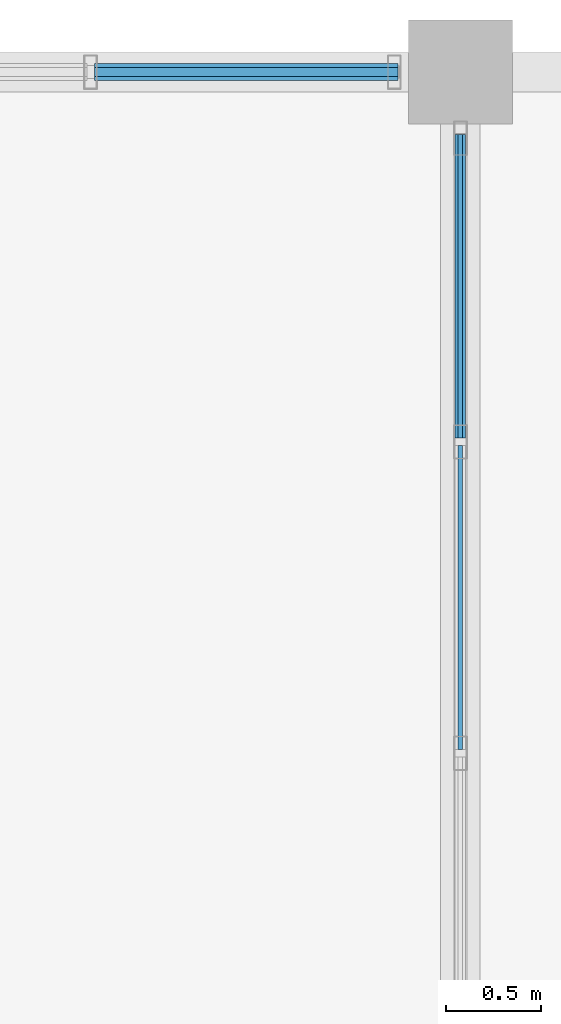
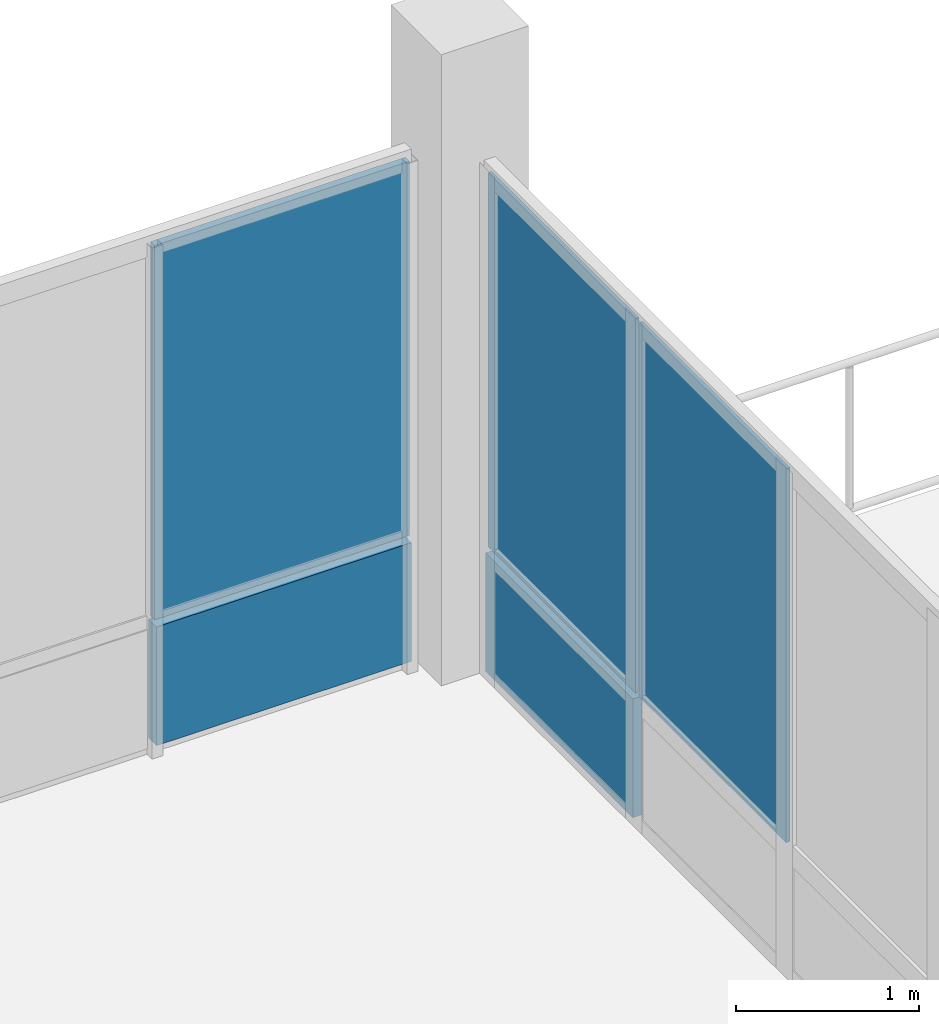
# One storey, part 34 of 47: 5 plates, 2 elements without a shape of their own.
"""IFC4 building model written with IfcOpenShell, lengths in metres."""

from ifc_helpers import new_model, si_unit, direction, frame, origin, origin_2d, place, context, subcontext, project, spatial, rectangle, extrude, material, layer, layer_set, type_object, element, aggregate, save


model = new_model("IFC4")

# Units and contexts
model_context = context("Model", 3, precision=1e-05, world=origin(), true_north=direction((0.0, 1.0)))
body_context = subcontext(model_context, "Body", "Model", "MODEL_VIEW")
ifc_project = project(units=[si_unit("LENGTHUNIT", "METRE"), si_unit("AREAUNIT", "SQUARE_METRE"), si_unit("VOLUMEUNIT", "CUBIC_METRE"), si_unit("PLANEANGLEUNIT", "RADIAN"), si_unit("MASSUNIT", "GRAM", prefix="KILO")], contexts=[model_context])

# Site, building, storey
site_placement = place(None, origin())
site = spatial("IfcSite", under=ifc_project, at=site_placement, CompositionType="ELEMENT")
building_placement = place(site_placement, origin())
building = spatial("IfcBuilding", under=site, at=building_placement, Name="Yarey Park Central Fire Station", CompositionType="ELEMENT")
storey_placement = place(building_placement, frame((0.0, 0.0, 18.0)))
storey = spatial("IfcBuildingStorey", under=building, at=storey_placement, Name="L05", CompositionType="ELEMENT", Elevation=18.0)

# Curtain wall, plate
ifc_material_1 = material(Name="Anodized Aluminium Frame", Category="aluminium")
curtain_wall_type = type_object("IfcCurtainWallType", Name="ENV_CW_HQ_L05", PredefinedType="NOTDEFINED", material=ifc_material_1)
curtain_wall_1_placement = place(storey_placement, origin())
curtain_wall_1 = element("IfcCurtainWall", 1, at=curtain_wall_1_placement, inside=storey, type_object=curtain_wall_type, Name="CW_L05_V4_E_108", PredefinedType="NOTDEFINED")
ifc_material_2 = material(Name="Insulated Aluminium Spandrel Panel", Category="aluminium")
ifc_layer_1 = layer(ifc_material_2, 0.055908203125)
ifc_layer_set_1 = layer_set([ifc_layer_1], Name="Insulated Aluminium Spandrel Panel")
plate_type_1 = type_object("IfcPlateType", Name="ENV_PNL_SPN_01", PredefinedType="CURTAIN_PANEL", material=ifc_layer_set_1)
plate_1_placement = place(storey_placement, frame((151.199951171875, 114.0673828125, 0.04248046875), z_axis=(0.0, 0.0, 1.0), x_axis=(0.0, 1.0, 0.0)))
plate_1 = element("IfcPlate", 2, at=plate_1_placement, type_object=plate_type_1, Name="CW_L05_V4_E_108_PNL07", PredefinedType="CURTAIN_PANEL", context=body_context, shape_type="SweptSolid", body=[
    extrude(rectangle(XDim=1.60498046875, YDim=0.055908203125, at=origin_2d()), origin(), (0.0, 0.0, 1.0), 0.7900390625),
])

curtain_wall_2_placement = place(storey_placement, origin())
curtain_wall_2 = element("IfcCurtainWall", 3, at=curtain_wall_2_placement, inside=storey, type_object=curtain_wall_type, Name="CW_L05_V4_N_5", PredefinedType="NOTDEFINED")
ifc_layer_2 = layer(ifc_material_2, 0.087890625)
ifc_layer_set_2 = layer_set([ifc_layer_2], Name="Insulated Aluminium Spandrel Panel")
plate_type_2 = type_object("IfcPlateType", Name="ENV_PNL_SPN_04", PredefinedType="CURTAIN_PANEL", material=ifc_layer_set_2)
plate_2_placement = place(storey_placement, frame((150.0673828125, 115.199951171875, 0.04248046875), z_axis=(0.0, 0.0, 1.0), x_axis=(-1.0, 0.0, 0.0)))
plate_2 = element("IfcPlate", 4, at=plate_2_placement, type_object=plate_type_2, Name="CW_L05_V4_N_5_PNL01", PredefinedType="CURTAIN_PANEL", context=body_context, shape_type="SweptSolid", body=[
    extrude(rectangle(XDim=1.60498046875, YDim=0.087890625, at=origin_2d()), origin(), (0.0, 0.0, 1.0), 0.7900390625),
])

# Plate
ifc_material_3 = material(Name="Laminated Hurricane Low-E Glass", Category="glass")
ifc_layer_3 = layer(ifc_material_3, 0.02392578125)
ifc_layer_set_3 = layer_set([ifc_layer_3], Name="Laminated Hurricane Low-E Glass")
plate_type_3 = type_object("IfcPlateType", Name="ENV_PNL_VIS_01", PredefinedType="CURTAIN_PANEL", material=ifc_layer_set_3)
plate_3_placement = place(storey_placement, frame((151.199951171875, 112.422607421875, 0.86767578125), z_axis=(0.0, 0.0, 1.0), x_axis=(0.0, 1.0, 0.0)))
plate_3 = element("IfcPlate", 5, at=plate_3_placement, type_object=plate_type_3, Name="CW_L05_V4_E_108_PNL06", PredefinedType="CURTAIN_PANEL", context=body_context, shape_type="SweptSolid", body=[
    extrude(rectangle(XDim=1.60498046875, YDim=0.02392578125, at=origin_2d()), origin(), (0.0, 0.0, 1.0), 2.489990234375),
])

plate_4_placement = place(storey_placement, frame((151.199951171875, 114.0673828125, 0.86767578125), z_axis=(0.0, 0.0, 1.0), x_axis=(0.0, 1.0, 0.0)))
plate_4 = element("IfcPlate", 6, at=plate_4_placement, type_object=plate_type_3, Name="CW_L05_V4_E_108_PNL08", PredefinedType="CURTAIN_PANEL", context=body_context, shape_type="SweptSolid", body=[
    extrude(rectangle(XDim=1.60498046875, YDim=0.02392578125, at=origin_2d()), origin(), (0.0, 0.0, 1.0), 2.489990234375),
])

aggregate(curtain_wall_1, [plate_3, plate_1, plate_4])

ifc_layer_4 = layer(ifc_material_3, 0.0458984375)
ifc_layer_set_4 = layer_set([ifc_layer_4], Name="Laminated Hurricane Low-E Glass")
plate_type_4 = type_object("IfcPlateType", Name="ENV_PNL_VIS_04", PredefinedType="CURTAIN_PANEL", material=ifc_layer_set_4)
plate_5_placement = place(storey_placement, frame((150.0673828125, 115.199951171875, 0.86767578125), z_axis=(0.0, 0.0, 1.0), x_axis=(-1.0, 0.0, 0.0)))
plate_5 = element("IfcPlate", 7, at=plate_5_placement, type_object=plate_type_4, Name="CW_L05_V4_N_5_PNL02", PredefinedType="CURTAIN_PANEL", context=body_context, shape_type="SweptSolid", body=[
    extrude(rectangle(XDim=1.60498046875, YDim=0.0458984375, at=origin_2d()), origin(), (0.0, 0.0, 1.0), 2.489990234375),
])

aggregate(curtain_wall_2, [plate_2, plate_5])

save(model, "model.ifc")
